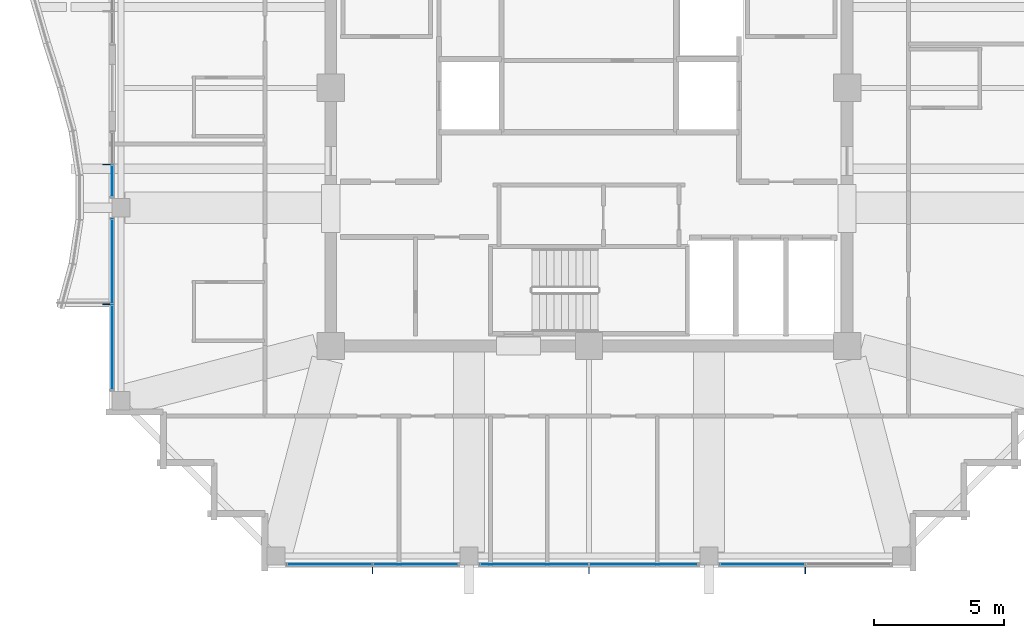
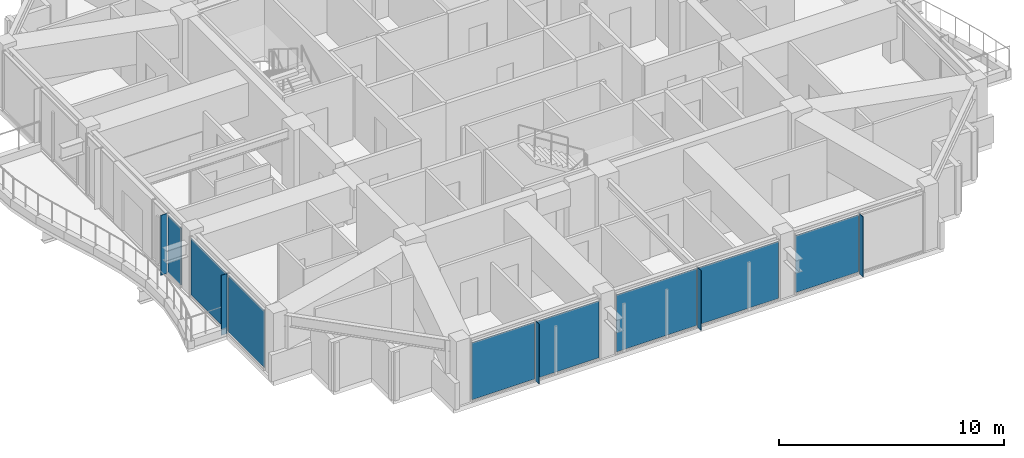
# One storey, part 19 of 31: 13 plates, 5 elements without a shape of their own.
"""IFC4 building model written with IfcOpenShell, lengths in metres."""

from ifc_helpers import new_model, si_unit, direction, frame, origin, origin_2d, place, context, subcontext, project, spatial, rectangle, extrude, material, layer, layer_set, type_object, element, aggregate, save


model = new_model("IFC4")

# Units and contexts
model_context = context("Model", 3, precision=1e-05, world=origin(), true_north=direction((0.0, 1.0)))
body_context = subcontext(model_context, "Body", "Model", "MODEL_VIEW")
ifc_project = project(units=[si_unit("LENGTHUNIT", "METRE"), si_unit("AREAUNIT", "SQUARE_METRE"), si_unit("VOLUMEUNIT", "CUBIC_METRE"), si_unit("PLANEANGLEUNIT", "RADIAN"), si_unit("MASSUNIT", "GRAM", prefix="KILO")], contexts=[model_context])

# Site, building, storey
site_placement = place(None, origin())
site = spatial("IfcSite", under=ifc_project, at=site_placement, CompositionType="ELEMENT")
building_placement = place(site_placement, origin())
building = spatial("IfcBuilding", under=site, at=building_placement, Name="Kolvaren Belvedere", CompositionType="ELEMENT")
storey_placement = place(building_placement, frame((0.0, 0.0, 237.39990234375)))
storey = spatial("IfcBuildingStorey", under=building, at=storey_placement, Name="L69", CompositionType="ELEMENT", Elevation=237.39990234375)

# Curtain wall, plate
ifc_material_1 = material(Name="Anodised pale-metal aluminium AA 6063-T6", Category="aluminium")
curtain_wall_type = type_object("IfcCurtainWallType", Name="CW-Z5-HIGH", PredefinedType="NOTDEFINED", material=ifc_material_1)
curtain_wall_1_placement = place(storey_placement, origin())
curtain_wall_1 = element("IfcCurtainWall", 1, at=curtain_wall_1_placement, inside=storey, type_object=curtain_wall_type, Name="L69 Unitised Curtain Wall FCW-L69-S-B1", PredefinedType="NOTDEFINED")
ifc_material_2 = material(Name="Low-iron triple insulated glass", Category="glass")
ifc_layer_1 = layer(ifc_material_2, 0.028076171875)
ifc_layer_set_1 = layer_set([ifc_layer_1], Name="Low-iron triple insulated glass")
plate_type_1 = type_object("IfcPlateType", Name="CW-PNL-VIS28", PredefinedType="CURTAIN_PANEL", material=ifc_layer_set_1)
plate_1_placement = place(storey_placement, frame((6.652587890625, -18.280029296875, 0.080078125), z_axis=(0.0, 0.0, 1.0), x_axis=(-1.0, 0.0, 0.0)))
plate_1 = element("IfcPlate", 2, at=plate_1_placement, type_object=plate_type_1, Name="FCW-L69-S-B1 Vision Glazing Panel 2", PredefinedType="CURTAIN_PANEL", context=body_context, shape_type="SweptSolid", body=[
    extrude(rectangle(XDim=3.215087890625, YDim=0.028076171875, at=origin_2d()), origin(), (0.0, 0.0, 1.0), 3.090087890625),
])
aggregate(curtain_wall_1, [plate_1])

# Curtain wall, plates
curtain_wall_2_placement = place(storey_placement, origin())
curtain_wall_2 = element("IfcCurtainWall", 3, at=curtain_wall_2_placement, inside=storey, type_object=curtain_wall_type, Name="L69 Unitised Curtain Wall FCW-L69-S-B2", PredefinedType="NOTDEFINED")
plate_2_placement = place(storey_placement, frame((2.097412109375, -18.280029296875, 0.080078125), z_axis=(0.0, 0.0, 1.0), x_axis=(-1.0, 0.0, 0.0)))
plate_2 = element("IfcPlate", 4, at=plate_2_placement, type_object=plate_type_1, Name="FCW-L69-S-B2 Vision Glazing Panel 1", PredefinedType="CURTAIN_PANEL", context=body_context, shape_type="SweptSolid", body=[
    extrude(rectangle(XDim=4.114990234375, YDim=0.028076171875, at=origin_2d()), origin(), (0.0, 0.0, 1.0), 3.090087890625),
])
plate_3_placement = place(storey_placement, frame((-2.097412109375, -18.280029296875, 0.080078125), z_axis=(0.0, 0.0, 1.0), x_axis=(-1.0, 0.0, 0.0)))
plate_3 = element("IfcPlate", 5, at=plate_3_placement, type_object=plate_type_1, Name="FCW-L69-S-B2 Vision Glazing Panel 2", PredefinedType="CURTAIN_PANEL", context=body_context, shape_type="SweptSolid", body=[
    extrude(rectangle(XDim=4.114990234375, YDim=0.028076171875, at=origin_2d()), origin(), (0.0, 0.0, 1.0), 3.090087890625),
])
aggregate(curtain_wall_2, [plate_2, plate_3])

curtain_wall_3_placement = place(storey_placement, origin())
curtain_wall_3 = element("IfcCurtainWall", 6, at=curtain_wall_3_placement, inside=storey, type_object=curtain_wall_type, Name="L69 Unitised Curtain Wall FCW-L69-S-B3", PredefinedType="NOTDEFINED")
plate_4_placement = place(storey_placement, frame((-6.652587890625, -18.280029296875, 0.080078125), z_axis=(0.0, 0.0, 1.0), x_axis=(-1.0, 0.0, 0.0)))
plate_4 = element("IfcPlate", 7, at=plate_4_placement, type_object=plate_type_1, Name="FCW-L69-S-B3 Vision Glazing Panel 1", PredefinedType="CURTAIN_PANEL", context=body_context, shape_type="SweptSolid", body=[
    extrude(rectangle(XDim=3.215087890625, YDim=0.028076171875, at=origin_2d()), origin(), (0.0, 0.0, 1.0), 3.090087890625),
])
plate_5_placement = place(storey_placement, frame((-9.947509765625, -18.280029296875, 0.080078125), z_axis=(0.0, 0.0, 1.0), x_axis=(-1.0, 0.0, 0.0)))
plate_5 = element("IfcPlate", 8, at=plate_5_placement, type_object=plate_type_1, Name="FCW-L69-S-B3 Vision Glazing Panel 2", PredefinedType="CURTAIN_PANEL", context=body_context, shape_type="SweptSolid", body=[
    extrude(rectangle(XDim=3.215087890625, YDim=0.028076171875, at=origin_2d()), origin(), (0.0, 0.0, 1.0), 3.090087890625),
])
aggregate(curtain_wall_3, [plate_4, plate_5])

curtain_wall_4_placement = place(storey_placement, origin())
curtain_wall_4 = element("IfcCurtainWall", 9, at=curtain_wall_4_placement, inside=storey, type_object=curtain_wall_type, Name="L69 Unitised Curtain Wall FCW-L69-W1-B1", PredefinedType="NOTDEFINED")
plate_6_placement = place(storey_placement, frame((-18.280029296875, -9.947509765625, 0.080078125), z_axis=(0.0, 0.0, 1.0), x_axis=(0.0, 1.0, 0.0)))
plate_6 = element("IfcPlate", 10, at=plate_6_placement, type_object=plate_type_1, Name="FCW-L69-W1-B1 Vision Glazing Panel 1", PredefinedType="CURTAIN_PANEL", context=body_context, shape_type="SweptSolid", body=[
    extrude(rectangle(XDim=3.215087890625, YDim=0.028076171875, at=origin_2d()), origin(), (0.0, 0.0, 1.0), 3.090087890625),
])
plate_7_placement = place(storey_placement, frame((-18.280029296875, -6.652587890625, 0.080078125), z_axis=(0.0, 0.0, 1.0), x_axis=(0.0, 1.0, 0.0)))
plate_7 = element("IfcPlate", 11, at=plate_7_placement, type_object=plate_type_1, Name="FCW-L69-W1-B1 Vision Glazing Panel 2", PredefinedType="CURTAIN_PANEL", context=body_context, shape_type="SweptSolid", body=[
    extrude(rectangle(XDim=3.215087890625, YDim=0.028076171875, at=origin_2d()), origin(), (0.0, 0.0, 1.0), 3.090087890625),
])
aggregate(curtain_wall_4, [plate_6, plate_7])

# Curtain wall, plate
curtain_wall_5_placement = place(storey_placement, origin())
curtain_wall_5 = element("IfcCurtainWall", 12, at=curtain_wall_5_placement, inside=storey, type_object=curtain_wall_type, Name="L69 Unitised Curtain Wall FCW-L69-W1-B2", PredefinedType="NOTDEFINED")
plate_8_placement = place(storey_placement, frame((-18.280029296875, -3.56640625, 0.080078125), z_axis=(0.0, 0.0, 1.0), x_axis=(0.0, 1.0, 0.0)))
plate_8 = element("IfcPlate", 13, at=plate_8_placement, type_object=plate_type_1, Name="FCW-L69-W1-B2 Vision Glazing Panel 1", PredefinedType="CURTAIN_PANEL", context=body_context, shape_type="SweptSolid", body=[
    extrude(rectangle(XDim=1.177490234375, YDim=0.028076171875, at=origin_2d()), origin(), (0.0, 0.0, 1.0), 3.090087890625),
])
aggregate(curtain_wall_5, [plate_8])

# Plates
ifc_material_3 = material(Name="Anodised pale-metal aluminium AA 6063-T6", Category="aluminium")
ifc_layer_2 = layer(ifc_material_3, 0.030029296875)
ifc_layer_set_2 = layer_set([ifc_layer_2], Name="Anodised pale-metal aluminium AA 6063-T6")
plate_type_2 = type_object("IfcPlateType", Name="FIN-VERT-300", PredefinedType="USERDEFINED", material=ifc_layer_set_2)
for number, where, z_axis, x_axis, name in (
    (14, (8.300048828125, -18.489990234375, 0.0), (0.0, 0.0, 1.0), (0.0, 1.0, 0.0), "L69 Pale-Metal Vertical Shading Fin FCW-L69-S-B1-1"),
    (15, (0.0, -18.489990234375, 0.0), (0.0, 0.0, 1.0), (0.0, 1.0, 0.0), "L69 Pale-Metal Vertical Shading Fin FCW-L69-S-B2-1"),
    (16, (-8.300048828125, -18.489990234375, 0.0), (0.0, 0.0, 1.0), (0.0, 1.0, 0.0), "L69 Pale-Metal Vertical Shading Fin FCW-L69-S-B3-1"),
    (17, (-18.489990234375, -8.300048828125, 0.0), (0.0, 0.0, 1.0), (1.0, 0.0, 0.0), "L69 Pale-Metal Vertical Shading Fin FCW-L69-W1-B1-1"),
    (18, (-18.489990234375, -2.9375, 0.0), (0.0, 0.0, 1.0), (1.0, 0.0, 0.0), "L69 Pale-Metal Vertical Shading Fin FCW-L69-W1-B2-1"),
):
    element("IfcPlate", number, at=place(storey_placement, frame(where, z_axis=z_axis, x_axis=x_axis)), inside=storey, type_object=plate_type_2, Name=name, ObjectType="VERTICAL FIN", PredefinedType="USERDEFINED", context=body_context, shape_type="SweptSolid", body=[
        extrude(rectangle(XDim=0.300048828125, YDim=0.030029296875, at=origin_2d()), origin(), (0.0, 0.0, 1.0), 3.25),
    ])

save(model, "model.ifc")
